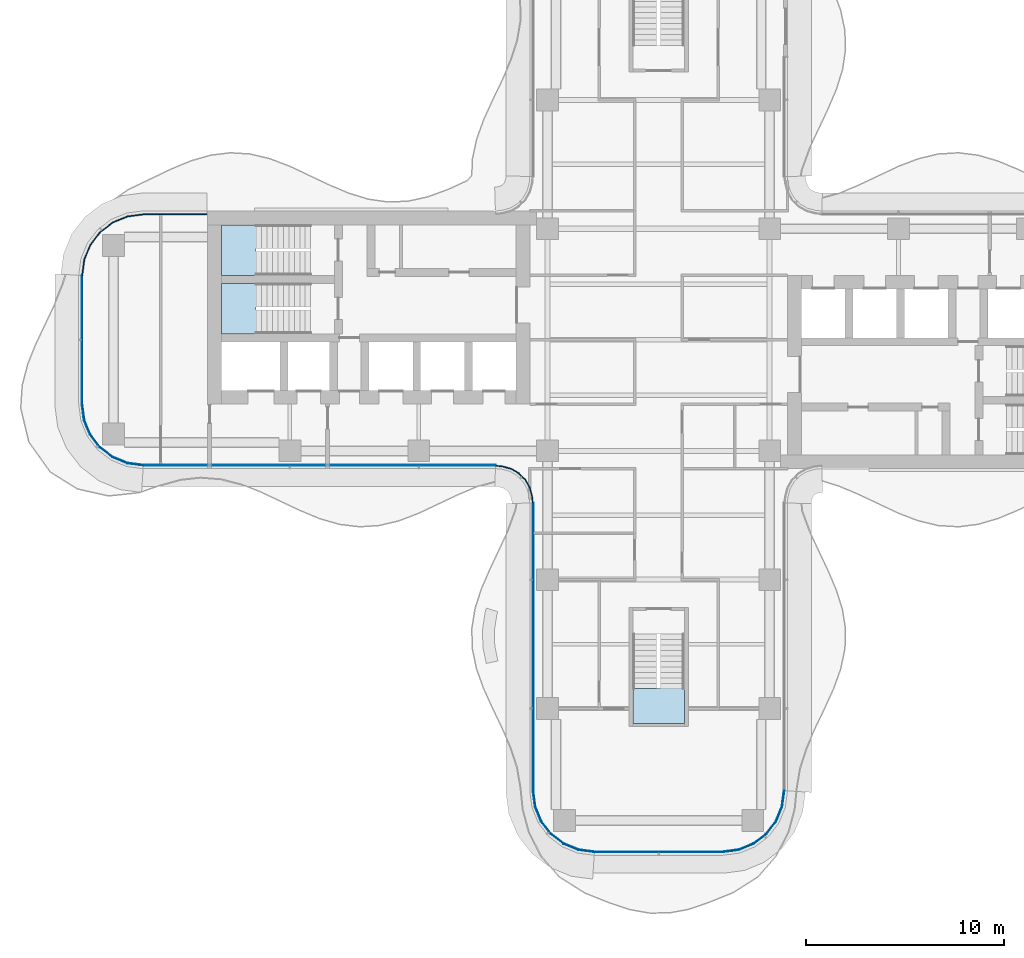
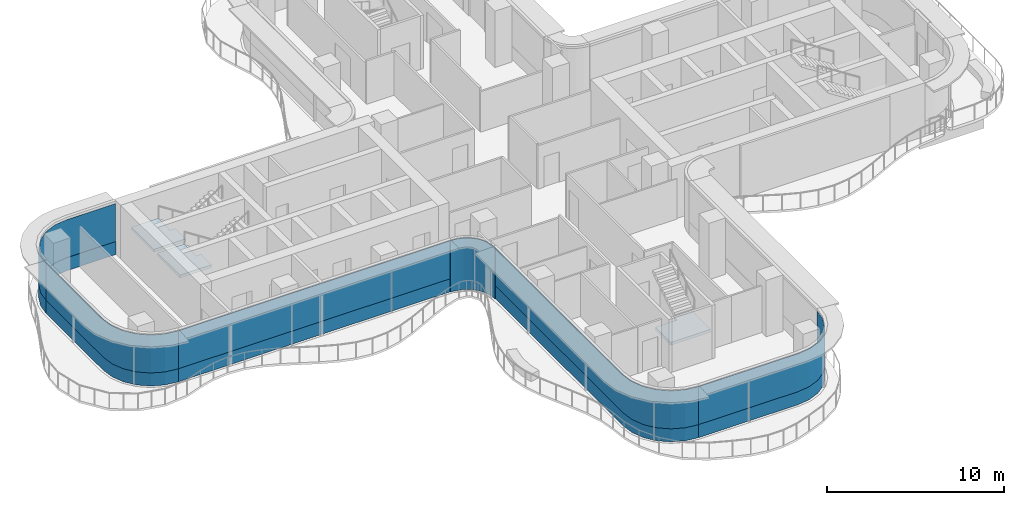
# One storey, part 9 of 17: 11 plates, 3 slabs, 9 elements without a shape of their own.
"""IFC4 building model written with IfcOpenShell, lengths in metres."""

from ifc_helpers import new_model, si_unit, direction, frame, origin, place, context, subcontext, project, spatial, polyline, outline, extrude, source, transform, mapped, material, layer, layer_set, type_object, element, aggregate, save


model = new_model("IFC4")

# Units and contexts
model_context = context("Model", 3, precision=1e-05, world=origin(), true_north=direction((0.0, 1.0)))
body_context = subcontext(model_context, "Body", "Model", "MODEL_VIEW")
ifc_project = project(units=[si_unit("LENGTHUNIT", "METRE"), si_unit("AREAUNIT", "SQUARE_METRE"), si_unit("VOLUMEUNIT", "CUBIC_METRE"), si_unit("PLANEANGLEUNIT", "RADIAN"), si_unit("MASSUNIT", "GRAM", prefix="KILO")], contexts=[model_context])

# Site, building, storey
site_placement = place(None, origin())
site = spatial("IfcSite", under=ifc_project, at=site_placement, CompositionType="ELEMENT")
building_placement = place(site_placement, origin())
building = spatial("IfcBuilding", under=site, at=building_placement, Name="Trellis Farm Tower", CompositionType="ELEMENT")
storey_placement = place(building_placement, frame((0.0, 0.0, 220.699951171875)))
storey = spatial("IfcBuildingStorey", under=building, at=storey_placement, Name="L48", CompositionType="ELEMENT", Elevation=220.699951171875)

# Stair, slab
ifc_material_1 = material(Name="Concrete C50/60", Category="concrete")
stair_type = type_object("IfcStairType", Name="CORE EXIT STAIR 22 RISERS 177 MM", PredefinedType="HALF_TURN_STAIR", material=ifc_material_1)
placement_1 = place(storey_placement, origin())
stair_1 = element("IfcStair", 1, at=placement_1, inside=storey, type_object=stair_type, Name="Exit stair S", PredefinedType="HALF_TURN_STAIR")
ifc_layer_1 = layer(ifc_material_1, 0.18994140625)
ifc_layer_set_1 = layer_set([ifc_layer_1], Name="CORE STAIR LANDING 190 CONCRETE C50/60")
slab_type = type_object("IfcSlabType", Name="CORE STAIR LANDING 190 CONCRETE C50/60", PredefinedType="LANDING", material=ifc_layer_set_1)
shared_shape_1 = source(origin(), body_context, "Body", "SweptSolid", [
    extrude(outline(polyline([(1.300048828125, -19.35009765625), (-1.300048828125, -19.35009765625), (-1.300048828125, -17.60009765625), (-1.300048828125, -17.590087890625), (-0.10009765625, -17.590087890625), (-0.10009765625, -17.60009765625), (0.10009765625, -17.60009765625), (0.10009765625, -17.27197265625), (1.300048828125, -17.27197265625), (1.300048828125, -17.60009765625), (1.300048828125, -19.35009765625)])), origin(), (0.0, 0.0, 1.0), 0.18994140625),
])
placement_2 = place(storey_placement, frame((0.0, 0.0, 1.760009765625)))
slab_1 = element("IfcSlab", 2, at=placement_2, type_object=slab_type, Name="STS landing 1", PredefinedType="LANDING", context=body_context, shape_type="MappedRepresentation", body=[
    mapped(shared_shape_1, transform((0.0, 0.0, 0.0))),
])
aggregate(stair_1, [slab_1])

stair_2 = element("IfcStair", 3, at=placement_1, inside=storey, type_object=stair_type, Name="Exit stair W1", PredefinedType="HALF_TURN_STAIR")
shared_shape_2 = source(origin(), body_context, "Body", "SweptSolid", [
    extrude(outline(polyline([(-19.971923828125, 4.449951171875), (-19.971923828125, 3.25), (-20.300048828125, 3.25), (-22.050048828125, 3.25), (-22.050048828125, 5.800048828125), (-20.300048828125, 5.800048828125), (-20.2900390625, 5.800048828125), (-20.2900390625, 4.60009765625), (-20.300048828125, 4.60009765625), (-20.300048828125, 4.449951171875), (-19.971923828125, 4.449951171875)])), origin(), (0.0, 0.0, 1.0), 0.18994140625),
])
slab_2 = element("IfcSlab", 4, at=placement_2, type_object=slab_type, Name="STW1 landing 1", PredefinedType="LANDING", context=body_context, shape_type="MappedRepresentation", body=[
    mapped(shared_shape_2, transform((0.0, 0.0, 0.0))),
])
aggregate(stair_2, [slab_2])

stair_3 = element("IfcStair", 5, at=placement_1, inside=storey, type_object=stair_type, Name="Exit stair W2", PredefinedType="HALF_TURN_STAIR")
shared_shape_3 = source(origin(), body_context, "Body", "SweptSolid", [
    extrude(outline(polyline([(-19.971923828125, 1.5), (-19.971923828125, 0.300048828125), (-20.300048828125, 0.300048828125), (-22.050048828125, 0.300048828125), (-22.050048828125, 2.85009765625), (-20.300048828125, 2.85009765625), (-20.2900390625, 2.85009765625), (-20.2900390625, 1.64990234375), (-20.300048828125, 1.64990234375), (-20.300048828125, 1.5), (-19.971923828125, 1.5)])), origin(), (0.0, 0.0, 1.0), 0.18994140625),
])
slab_3 = element("IfcSlab", 6, at=placement_2, type_object=slab_type, Name="STW2 landing 1", PredefinedType="LANDING", context=body_context, shape_type="MappedRepresentation", body=[
    mapped(shared_shape_3, transform((0.0, 0.0, 0.0))),
])
aggregate(stair_3, [slab_3])

# Curtain wall, plate
ifc_material_2 = material(Name="Aluminium and glass curtain wall", Category="aluminium")
ifc_layer_2 = layer(ifc_material_2, 0.166015625)
ifc_layer_set_2 = layer_set([ifc_layer_2], Name="WINTER GARDEN CURTAIN WALL CW3")
curtain_wall_type_1 = type_object("IfcCurtainWallType", Name="WINTER GARDEN CURTAIN WALL CW3", PredefinedType="NOTDEFINED", material=ifc_layer_set_2)
curtain_wall_1 = element("IfcCurtainWall", 7, at=placement_1, inside=storey, type_object=curtain_wall_type_1, Name="CW3 001", PredefinedType="NOTDEFINED")
ifc_material_3 = material(Name="Clear insulated glass", Category="glass")
ifc_layer_3 = layer(ifc_material_3, 0.0458984375)
ifc_layer_set_3 = layer_set([ifc_layer_3], Name="CW3 GLASS PANEL 46")
plate_type_1 = type_object("IfcPlateType", Name="CW3 GLASS PANEL 46", PredefinedType="CURTAIN_PANEL", material=ifc_layer_set_3)
shared_shape_4 = source(origin(), body_context, "Body", "SweptSolid", [
    extrude(outline(polyline([(-8.2275390625, -6.3798828125), (-8.0078125, -6.394287109375), (-7.89208984375, -6.40966796875), (-7.462158203125, -6.52490234375), (-7.070556640625, -6.7509765625), (-6.7509765625, -7.070556640625), (-6.52490234375, -7.462158203125), (-6.40966796875, -7.89208984375), (-6.394287109375, -8.0078125), (-6.3798828125, -8.2275390625), (-6.333984375, -8.22607421875), (-6.3486328125, -8.003173828125), (-6.364501953125, -7.883056640625), (-6.48193359375, -7.4443359375), (-6.714111328125, -7.04248046875), (-7.04248046875, -6.714111328125), (-7.4443359375, -6.48193359375), (-7.883056640625, -6.364501953125), (-8.003173828125, -6.3486328125), (-8.22607421875, -6.333984375), (-8.2275390625, -6.3798828125)])), origin(), (0.0, 0.0, 1.0), 3.550048828125),
])
plate_1 = element("IfcPlate", 8, at=placement_1, type_object=plate_type_1, Name="PL3 001", PredefinedType="CURTAIN_PANEL", context=body_context, shape_type="MappedRepresentation", body=[
    mapped(shared_shape_4, transform((0.0, 0.0, 0.0))),
])
aggregate(curtain_wall_1, [plate_1])

# Curtain wall, plates
ifc_layer_4 = layer(ifc_material_2, 0.18994140625)
ifc_layer_set_4 = layer_set([ifc_layer_4], Name="RIBBON CURTAIN WALL CW1")
curtain_wall_type_2 = type_object("IfcCurtainWallType", Name="RIBBON CURTAIN WALL CW1", PredefinedType="NOTDEFINED", material=ifc_layer_set_4)
curtain_wall_2 = element("IfcCurtainWall", 9, at=placement_1, inside=storey, type_object=curtain_wall_type_2, Name="CW1 001", PredefinedType="NOTDEFINED")
ifc_layer_5 = layer(ifc_material_3, 0.0400390625)
ifc_layer_set_5 = layer_set([ifc_layer_5], Name="CW1 GLASS PANEL 40")
plate_type_2 = type_object("IfcPlateType", Name="CW1 GLASS PANEL 40", PredefinedType="CURTAIN_PANEL", material=ifc_layer_set_5)
shared_shape_5 = source(origin(), body_context, "Body", "SweptSolid", [
    extrude(outline(polyline([(-25.990234375, -6.35009765625), (-8.2265625, -6.35009765625), (-8.22509765625, -6.31005859375), (-25.987548828125, -6.31005859375), (-25.990234375, -6.35009765625)])), origin(), (0.0, 0.0, 1.0), 2.619873046875),
])
placement_3 = place(storey_placement, frame((0.0, 0.0, 0.900146484375)))
plate_2 = element("IfcPlate", 10, at=placement_3, type_object=plate_type_2, Name="PL1 001", PredefinedType="CURTAIN_PANEL", context=body_context, shape_type="MappedRepresentation", body=[
    mapped(shared_shape_5, transform((0.0, 0.0, 0.0))),
])
ifc_material_4 = material(Name="Sandstone faced insulated panel", Category="masonry")
ifc_layer_6 = layer(ifc_material_4, 0.050048828125)
ifc_layer_set_6 = layer_set([ifc_layer_6], Name="CW1 STONE SPANDREL PANEL 50")
plate_type_3 = type_object("IfcPlateType", Name="CW1 STONE SPANDREL PANEL 50", PredefinedType="CURTAIN_PANEL", material=ifc_layer_set_6)
shared_shape_6 = source(origin(), body_context, "Body", "SweptSolid", [
    extrude(outline(polyline([(-25.990234375, -6.35009765625), (-8.2265625, -6.35009765625), (-8.224853515625, -6.300048828125), (-25.98681640625, -6.300048828125), (-25.990234375, -6.35009765625)])), origin(), (0.0, 0.0, 1.0), 0.900146484375),
])
plate_3 = element("IfcPlate", 11, at=placement_1, type_object=plate_type_3, Name="PS1 001", PredefinedType="CURTAIN_PANEL", context=body_context, shape_type="MappedRepresentation", body=[
    mapped(shared_shape_6, transform((0.0, 0.0, 0.0))),
])
aggregate(curtain_wall_2, [plate_2, plate_3])

curtain_wall_3 = element("IfcCurtainWall", 12, at=placement_1, inside=storey, type_object=curtain_wall_type_2, Name="CW1 002", PredefinedType="NOTDEFINED")
shared_shape_7 = source(origin(), body_context, "Body", "SweptSolid", [
    extrude(outline(polyline([(-6.35009765625, -8.2265625), (-6.35009765625, -22.740234375), (-6.2431640625, -23.552001953125), (-5.93359375, -24.29931640625), (-5.441162109375, -24.941162109375), (-4.79931640625, -25.43359375), (-4.052001953125, -25.7431640625), (-3.240234375, -25.85009765625), (-3.237548828125, -25.81005859375), (-4.04150390625, -25.7041015625), (-4.779296875, -25.398681640625), (-5.41259765625, -24.91259765625), (-5.898681640625, -24.279296875), (-6.2041015625, -23.54150390625), (-6.31005859375, -22.737548828125), (-6.31005859375, -8.22509765625), (-6.35009765625, -8.2265625)])), origin(), (0.0, 0.0, 1.0), 2.619873046875),
])
plate_4 = element("IfcPlate", 13, at=placement_3, type_object=plate_type_2, Name="PL1 002", PredefinedType="CURTAIN_PANEL", context=body_context, shape_type="MappedRepresentation", body=[
    mapped(shared_shape_7, transform((0.0, 0.0, 0.0))),
])
shared_shape_8 = source(origin(), body_context, "Body", "SweptSolid", [
    extrude(outline(polyline([(-6.35009765625, -8.2265625), (-6.35009765625, -22.740234375), (-6.2431640625, -23.552001953125), (-5.93359375, -24.29931640625), (-5.441162109375, -24.941162109375), (-4.79931640625, -25.43359375), (-4.052001953125, -25.7431640625), (-3.240234375, -25.85009765625), (-3.23681640625, -25.800048828125), (-4.0390625, -25.6943359375), (-4.774169921875, -25.389892578125), (-5.405517578125, -24.905517578125), (-5.889892578125, -24.274169921875), (-6.1943359375, -23.5390625), (-6.300048828125, -22.73681640625), (-6.300048828125, -8.224853515625), (-6.35009765625, -8.2265625)])), origin(), (0.0, 0.0, 1.0), 0.900146484375),
])
plate_5 = element("IfcPlate", 14, at=placement_1, type_object=plate_type_3, Name="PS1 002", PredefinedType="CURTAIN_PANEL", context=body_context, shape_type="MappedRepresentation", body=[
    mapped(shared_shape_8, transform((0.0, 0.0, 0.0))),
])
aggregate(curtain_wall_3, [plate_4, plate_5])

curtain_wall_4 = element("IfcCurtainWall", 15, at=placement_1, inside=storey, type_object=curtain_wall_type_2, Name="CW1 003", PredefinedType="NOTDEFINED")
shared_shape_9 = source(origin(), body_context, "Body", "SweptSolid", [
    extrude(outline(polyline([(-3.240234375, -25.85009765625), (3.240234375, -25.85009765625), (4.052001953125, -25.7431640625), (4.79931640625, -25.43359375), (5.441162109375, -24.941162109375), (5.93359375, -24.29931640625), (6.2431640625, -23.552001953125), (6.35009765625, -22.740234375), (6.31005859375, -22.737548828125), (6.2041015625, -23.54150390625), (5.898681640625, -24.279296875), (5.41259765625, -24.91259765625), (4.779296875, -25.398681640625), (4.04150390625, -25.7041015625), (3.237548828125, -25.81005859375), (-3.237548828125, -25.81005859375), (-3.240234375, -25.85009765625)])), origin(), (0.0, 0.0, 1.0), 2.619873046875),
])
plate_6 = element("IfcPlate", 16, at=placement_3, type_object=plate_type_2, Name="PL1 003", PredefinedType="CURTAIN_PANEL", context=body_context, shape_type="MappedRepresentation", body=[
    mapped(shared_shape_9, transform((0.0, 0.0, 0.0))),
])
shared_shape_10 = source(origin(), body_context, "Body", "SweptSolid", [
    extrude(outline(polyline([(-3.240234375, -25.85009765625), (3.240234375, -25.85009765625), (4.052001953125, -25.7431640625), (4.79931640625, -25.43359375), (5.441162109375, -24.941162109375), (5.93359375, -24.29931640625), (6.2431640625, -23.552001953125), (6.35009765625, -22.740234375), (6.300048828125, -22.73681640625), (6.1943359375, -23.5390625), (5.889892578125, -24.274169921875), (5.405517578125, -24.905517578125), (4.774169921875, -25.389892578125), (4.0390625, -25.6943359375), (3.23681640625, -25.800048828125), (-3.23681640625, -25.800048828125), (-3.240234375, -25.85009765625)])), origin(), (0.0, 0.0, 1.0), 0.900146484375),
])
plate_7 = element("IfcPlate", 17, at=placement_1, type_object=plate_type_3, Name="PS1 003", PredefinedType="CURTAIN_PANEL", context=body_context, shape_type="MappedRepresentation", body=[
    mapped(shared_shape_10, transform((0.0, 0.0, 0.0))),
])
aggregate(curtain_wall_4, [plate_6, plate_7])

curtain_wall_5 = element("IfcCurtainWall", 18, at=placement_1, inside=storey, type_object=curtain_wall_type_2, Name="CW1 013", PredefinedType="NOTDEFINED")
shared_shape_11 = source(origin(), body_context, "Body", "SweptSolid", [
    extrude(outline(polyline([(-22.780029296875, 6.35009765625), (-25.990234375, 6.35009765625), (-26.802001953125, 6.2431640625), (-27.54931640625, 5.93359375), (-28.191162109375, 5.441162109375), (-28.68359375, 4.79931640625), (-28.9931640625, 4.052001953125), (-29.10009765625, 3.240234375), (-29.06005859375, 3.237548828125), (-28.9541015625, 4.04150390625), (-28.648681640625, 4.779296875), (-28.16259765625, 5.41259765625), (-27.529296875, 5.898681640625), (-26.79150390625, 6.2041015625), (-25.987548828125, 6.31005859375), (-22.780029296875, 6.31005859375), (-22.780029296875, 6.35009765625)])), origin(), (0.0, 0.0, 1.0), 2.619873046875),
])
plate_8 = element("IfcPlate", 19, at=placement_3, type_object=plate_type_2, Name="PL1 013", PredefinedType="CURTAIN_PANEL", context=body_context, shape_type="MappedRepresentation", body=[
    mapped(shared_shape_11, transform((0.0, 0.0, 0.0))),
])
shared_shape_12 = source(origin(), body_context, "Body", "SweptSolid", [
    extrude(outline(polyline([(-22.780029296875, 6.35009765625), (-25.990234375, 6.35009765625), (-26.802001953125, 6.2431640625), (-27.54931640625, 5.93359375), (-28.191162109375, 5.441162109375), (-28.68359375, 4.79931640625), (-28.9931640625, 4.052001953125), (-29.10009765625, 3.240234375), (-29.050048828125, 3.23681640625), (-28.9443359375, 4.0390625), (-28.639892578125, 4.774169921875), (-28.155517578125, 5.405517578125), (-27.524169921875, 5.889892578125), (-26.7890625, 6.1943359375), (-25.98681640625, 6.300048828125), (-22.780029296875, 6.300048828125), (-22.780029296875, 6.35009765625)])), origin(), (0.0, 0.0, 1.0), 0.900146484375),
])
plate_9 = element("IfcPlate", 20, at=placement_1, type_object=plate_type_3, Name="PS1 013", PredefinedType="CURTAIN_PANEL", context=body_context, shape_type="MappedRepresentation", body=[
    mapped(shared_shape_12, transform((0.0, 0.0, 0.0))),
])
aggregate(curtain_wall_5, [plate_8, plate_9])

curtain_wall_6 = element("IfcCurtainWall", 21, at=placement_1, inside=storey, type_object=curtain_wall_type_2, Name="CW1 014", PredefinedType="NOTDEFINED")
shared_shape_13 = source(origin(), body_context, "Body", "SweptSolid", [
    extrude(outline(polyline([(-29.10009765625, 3.240234375), (-29.10009765625, -3.240234375), (-28.9931640625, -4.052001953125), (-28.68359375, -4.79931640625), (-28.191162109375, -5.441162109375), (-27.54931640625, -5.93359375), (-26.802001953125, -6.2431640625), (-25.990234375, -6.35009765625), (-25.987548828125, -6.31005859375), (-26.79150390625, -6.2041015625), (-27.529296875, -5.898681640625), (-28.16259765625, -5.41259765625), (-28.648681640625, -4.779296875), (-28.9541015625, -4.04150390625), (-29.06005859375, -3.237548828125), (-29.06005859375, 3.237548828125), (-29.10009765625, 3.240234375)])), origin(), (0.0, 0.0, 1.0), 2.619873046875),
])
plate_10 = element("IfcPlate", 22, at=placement_3, type_object=plate_type_2, Name="PL1 014", PredefinedType="CURTAIN_PANEL", context=body_context, shape_type="MappedRepresentation", body=[
    mapped(shared_shape_13, transform((0.0, 0.0, 0.0))),
])
shared_shape_14 = source(origin(), body_context, "Body", "SweptSolid", [
    extrude(outline(polyline([(-29.10009765625, 3.240234375), (-29.10009765625, -3.240234375), (-28.9931640625, -4.052001953125), (-28.68359375, -4.79931640625), (-28.191162109375, -5.441162109375), (-27.54931640625, -5.93359375), (-26.802001953125, -6.2431640625), (-25.990234375, -6.35009765625), (-25.98681640625, -6.300048828125), (-26.7890625, -6.1943359375), (-27.524169921875, -5.889892578125), (-28.155517578125, -5.405517578125), (-28.639892578125, -4.774169921875), (-28.9443359375, -4.0390625), (-29.050048828125, -3.23681640625), (-29.050048828125, 3.23681640625), (-29.10009765625, 3.240234375)])), origin(), (0.0, 0.0, 1.0), 0.900146484375),
])
plate_11 = element("IfcPlate", 23, at=placement_1, type_object=plate_type_3, Name="PS1 014", PredefinedType="CURTAIN_PANEL", context=body_context, shape_type="MappedRepresentation", body=[
    mapped(shared_shape_14, transform((0.0, 0.0, 0.0))),
])
aggregate(curtain_wall_6, [plate_10, plate_11])

save(model, "model.ifc")
